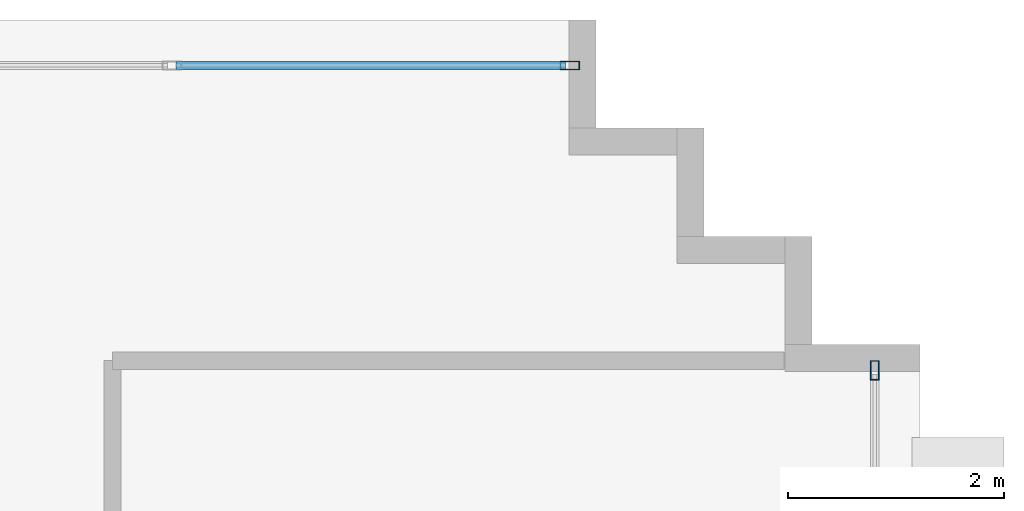
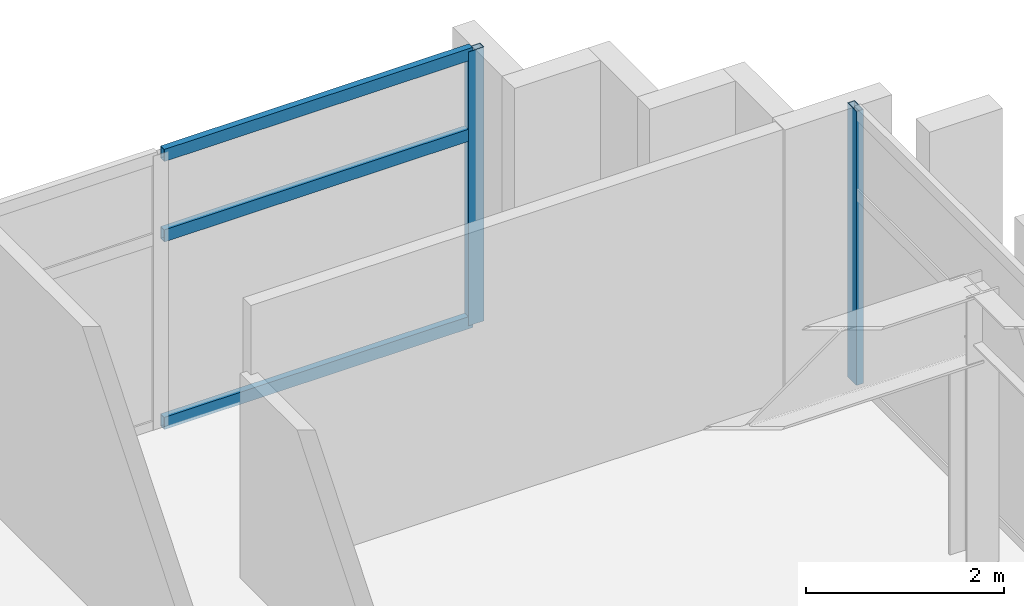
# One storey, part 10 of 15: 5 members, 2 elements without a shape of their own.
"""IFC4 building model written with IfcOpenShell, lengths in metres."""

import ifcopenshell
import ifcopenshell.guid

model = None  # the IFC model being written
_history = None  # IfcOwnerHistory: only IFC2X3 demands one
_inside = {}  # id of a spatial element -> (the spatial element, [elements in it])
_under = {}  # id of a project, library or spatial element -> (it, [spatial elements below it])
_declared = {}  # id of a project -> (the project, [libraries it declares])
_typed = {}  # id of a type object -> (the type object, [elements of that type])
_made_of = {}  # id of a material, layer set ... -> (it, [elements and type objects made of it])


def new_model(schema):
    """Start an empty IFC model of exactly this schema.

    Asked for "IFC4X3", IfcOpenShell would pick the latest addendum, in which some entities
    have other attributes; the version numbers below select the first issue.
    IFC2X3 requires an IfcOwnerHistory on every rooted entity: one is made here for all.
    """
    global model, _history
    if schema == "IFC4X3":
        model = ifcopenshell.file(schema_version=(4, 3, 0, 0))
    else:
        model = ifcopenshell.file(schema=schema)
    _inside.clear()
    _under.clear()
    _declared.clear()
    _typed.clear()
    _made_of.clear()
    _history = None
    if model.schema == "IFC2X3":
        org = make("IfcOrganization", Name="unknown")
        user = make(
            "IfcPersonAndOrganization",
            ThePerson=make("IfcPerson", FamilyName="unknown"),
            TheOrganization=org,
        )
        app = make(
            "IfcApplication",
            ApplicationDeveloper=org,
            Version="unknown",
            ApplicationFullName="unknown",
            ApplicationIdentifier="unknown",
        )
        _history = make(
            "IfcOwnerHistory",
            OwningUser=user,
            OwningApplication=app,
            ChangeAction="ADDED",
            CreationDate=0,
        )
    return model


def make(cls, **values):
    """One entity of the class cls with the attributes given. An attribute that is None is left unset."""
    return model.create_entity(
        cls, **{name: value for name, value in values.items() if value is not None}
    )


def rooted(cls, **values):
    """An entity with a GlobalId (a new one), such as an element, a storey or a relation."""
    return make(cls, GlobalId=ifcopenshell.guid.new(), OwnerHistory=_history, **values)


def si_unit(unit_type, name, prefix=None):
    """IfcSIUnit, for example si_unit("LENGTHUNIT", "METRE", prefix="MILLI")."""
    return make("IfcSIUnit", UnitType=unit_type, Prefix=prefix, Name=name)


def assignment(units):
    """IfcUnitAssignment: the units of a project."""
    return None if units is None else make("IfcUnitAssignment", Units=units)


def point(xyz):
    """IfcCartesianPoint."""
    return None if xyz is None else make("IfcCartesianPoint", Coordinates=xyz)


def direction(xyz):
    """IfcDirection."""
    return None if xyz is None else make("IfcDirection", DirectionRatios=xyz)


def frame(location, z_axis=None, x_axis=None):
    """IfcAxis2Placement3D, a coordinate frame: its origin and axes. An axis left out is left unset."""
    return make(
        "IfcAxis2Placement3D",
        Location=point(location),
        Axis=direction(z_axis),
        RefDirection=direction(x_axis),
    )


def frame_2d(location, x_axis=None):
    """IfcAxis2Placement2D, a coordinate frame in the plane: its origin and x axis."""
    return make(
        "IfcAxis2Placement2D", Location=point(location), RefDirection=direction(x_axis)
    )


def origin():
    """The frame at (0, 0, 0) with its axes left unset."""
    return frame((0.0, 0.0, 0.0))


def origin_2d():
    """The frame at (0, 0) in the plane with its x axis left unset."""
    return frame_2d((0.0, 0.0))


def place(relative_to, where):
    """IfcLocalPlacement: puts the frame where relative to a parent placement (None: the world)."""
    return make(
        "IfcLocalPlacement", PlacementRelTo=relative_to, RelativePlacement=where
    )


def context(
    kind, dimensions, precision=None, world=None, true_north=None, identifier=None
):
    """IfcGeometricRepresentationContext, for example the 3D "Model" context."""
    return make(
        "IfcGeometricRepresentationContext",
        ContextIdentifier=identifier,
        ContextType=kind,
        CoordinateSpaceDimension=dimensions,
        Precision=precision,
        WorldCoordinateSystem=world,
        TrueNorth=true_north,
    )


def subcontext(parent, identifier, kind, view, scale=None):
    """IfcGeometricRepresentationSubContext, for example "Body" below "Model"."""
    return make(
        "IfcGeometricRepresentationSubContext",
        ContextIdentifier=identifier,
        ContextType=kind,
        ParentContext=parent,
        TargetScale=scale,
        TargetView=view,
    )


def project(units=None, contexts=None):
    """IfcProject with its units and contexts."""
    return rooted(
        "IfcProject",
        Name="project",
        RepresentationContexts=contexts,
        UnitsInContext=assignment(units),
    )


def spatial(cls, under=None, at=None, **own):
    """A site, building, storey or space (cls), placed at a placement, below another one or the project."""
    s = rooted(cls, ObjectPlacement=at, **own)
    if under is not None:
        _under.setdefault(under.id(), (under, []))[1].append(s)
    return s


def profile(cls, at=None, kind="AREA", **sizes):
    """A parametric profile (cls). Its sizes go by their IFC names, for example OverallWidth=200.0."""
    return make(cls, ProfileType=kind, Position=at, **sizes)


def hollow_rectangle(**sizes):
    """IfcRectangleHollowProfileDef."""
    return profile("IfcRectangleHollowProfileDef", **sizes)


def extrude(swept, where, along, depth):
    """IfcExtrudedAreaSolid: the profile swept, set in the frame where, extruded along a direction by depth."""
    return make(
        "IfcExtrudedAreaSolid",
        SweptArea=swept,
        Position=where,
        ExtrudedDirection=direction(along),
        Depth=depth,
    )


def shape(context_of_items, identifier, shape_type, items):
    """IfcShapeRepresentation: the items that make up one representation, for example the "Body"."""
    return make(
        "IfcShapeRepresentation",
        ContextOfItems=context_of_items,
        RepresentationIdentifier=identifier,
        RepresentationType=shape_type,
        Items=items,
    )


def source(mapping_origin, context_of_items, identifier, shape_type, items):
    """IfcRepresentationMap: a shape defined once, which mapped items show again and again."""
    return make(
        "IfcRepresentationMap",
        MappingOrigin=mapping_origin,
        MappedRepresentation=shape(context_of_items, identifier, shape_type, items),
    )


def transform(
    local_origin,
    x_axis=None,
    y_axis=None,
    z_axis=None,
    scale=None,
    scale2=None,
    scale3=None,
    uniform=True,
):
    """IfcCartesianTransformationOperator3D, or its non-uniform kind. x_axis, y_axis, z_axis: its Axis1, 2, 3."""
    if uniform:
        return make(
            "IfcCartesianTransformationOperator3D",
            Axis1=direction(x_axis),
            Axis2=direction(y_axis),
            LocalOrigin=point(local_origin),
            Scale=scale,
            Axis3=direction(z_axis),
        )
    return make(
        "IfcCartesianTransformationOperator3DnonUniform",
        Axis1=direction(x_axis),
        Axis2=direction(y_axis),
        LocalOrigin=point(local_origin),
        Scale=scale,
        Axis3=direction(z_axis),
        Scale2=scale2,
        Scale3=scale3,
    )


def mapped(mapping_source, mapping_target):
    """IfcMappedItem: shows the shape of a source again, moved by a transform."""
    return make(
        "IfcMappedItem", MappingSource=mapping_source, MappingTarget=mapping_target
    )


def material(Name=None, Category=None):
    """IfcMaterial."""
    return make("IfcMaterial", Name=Name, Category=Category)


def layer(
    of_material, thickness, ventilated=None, Name=None, Category=None, Priority=None
):
    """IfcMaterialLayer: one layer of a wall or slab, of a material (None: an air gap)."""
    return make(
        "IfcMaterialLayer",
        Material=of_material,
        LayerThickness=thickness,
        IsVentilated=ventilated,
        Name=Name,
        Category=Category,
        Priority=Priority,
    )


def layer_set(layers, Name=None):
    """IfcMaterialLayerSet."""
    return make("IfcMaterialLayerSet", MaterialLayers=layers, LayerSetName=Name)


def material_profile(
    of_material, cross_section, Name=None, Category=None, Priority=None
):
    """IfcMaterialProfile: a cross section and its material."""
    return make(
        "IfcMaterialProfile",
        Name=Name,
        Material=of_material,
        Profile=cross_section,
        Priority=Priority,
        Category=Category,
    )


def profile_set(profiles, Name=None, composite=None):
    """IfcMaterialProfileSet."""
    return make(
        "IfcMaterialProfileSet",
        Name=Name,
        MaterialProfiles=profiles,
        CompositeProfile=composite,
    )


def made_of(thing, what):
    """Note that an element or type object is made of a material, layer set ...; save() writes the relation."""
    if what is not None:
        _made_of.setdefault(what.id(), (what, []))[1].append(thing)
    return thing


def type_object(cls, material=None, **own):
    """A type object (cls), such as IfcWallType, which elements share."""
    return made_of(rooted(cls, **own), material)


def element(
    cls,
    number,
    at=None,
    inside=None,
    cuts=None,
    type_object=None,
    material=None,
    context=None,
    identifier="Body",
    shape_type=None,
    held_by="IfcProductDefinitionShape",
    body=None,
    shapes=None,
    **own,
):
    """One element of the class cls, such as IfcWall. Its Tag is "e" and its number.

    at: its placement. inside: the storey or other place that contains it. cuts: it is an
    opening in that element (IfcRelVoidsElement). A single representation is given by context,
    identifier, shape_type and body (its items); several are given by shapes. held_by: the class
    of the entity that holds the representations. save() writes the other relations.
    """
    e = rooted(cls, Tag="e%d" % number, ObjectPlacement=at, **own)
    if body is not None:
        shapes = [shape(context, identifier, shape_type, body)]
    if shapes is not None:
        e.Representation = make(held_by, Representations=shapes)
    if inside is not None:
        _inside.setdefault(inside.id(), (inside, []))[1].append(e)
    if cuts is not None:
        rooted(
            "IfcRelVoidsElement", RelatingBuildingElement=cuts, RelatedOpeningElement=e
        )
    if type_object is not None:
        _typed.setdefault(type_object.id(), (type_object, []))[1].append(e)
    return made_of(e, material)


def aggregate(whole, parts):
    """IfcRelAggregates: a whole, such as a stair, and the parts it consists of."""
    return rooted("IfcRelAggregates", RelatingObject=whole, RelatedObjects=parts)


def save(model, path):
    """Write the relations noted so far, then the file.

    IfcRelAggregates (storeys below a building ...), IfcRelContainedInSpatialStructure (elements
    in a storey), IfcRelDefinesByType, IfcRelAssociatesMaterial and IfcRelDeclares: one each for
    every whole, place, type object, material and project.
    """
    for whole, parts in _under.values():
        aggregate(whole, parts)
    for where, things in _inside.values():
        rooted(
            "IfcRelContainedInSpatialStructure",
            RelatedElements=things,
            RelatingStructure=where,
        )
    for kind, things in _typed.values():
        rooted("IfcRelDefinesByType", RelatedObjects=things, RelatingType=kind)
    for what, things in _made_of.values():
        rooted("IfcRelAssociatesMaterial", RelatedObjects=things, RelatingMaterial=what)
    for by, libraries in _declared.values():
        rooted("IfcRelDeclares", RelatingContext=by, RelatedDefinitions=libraries)
    model.write(path)


model = new_model("IFC4")

# Units and contexts
model_context = context("Model", 3, precision=1e-05, world=origin(), true_north=direction((0.0, 1.0)))
body_context = subcontext(model_context, "Body", "Model", "MODEL_VIEW")
ifc_project = project(units=[si_unit("LENGTHUNIT", "METRE"), si_unit("AREAUNIT", "SQUARE_METRE"), si_unit("VOLUMEUNIT", "CUBIC_METRE"), si_unit("PLANEANGLEUNIT", "RADIAN"), si_unit("MASSUNIT", "GRAM", prefix="KILO")], contexts=[model_context])

# Site, building, storey
site_placement = place(None, origin())
site = spatial("IfcSite", under=ifc_project, at=site_placement, CompositionType="ELEMENT")
building_placement = place(site_placement, origin())
building = spatial("IfcBuilding", under=site, at=building_placement, Name="Ocotamira Hotel", CompositionType="ELEMENT")
storey_placement = place(building_placement, frame((0.0, 0.0, 286.800048828125)))
storey = spatial("IfcBuildingStorey", under=building, at=storey_placement, Name="L73", CompositionType="ELEMENT", Elevation=286.800048828125)

# Curtain wall, member
ifc_material_1 = material(Name="Anodised pale-metal aluminium and solar glass", Category="aluminium")
ifc_layer = layer(ifc_material_1, 0.2099609375)
ifc_layer_set = layer_set([ifc_layer], Name="Anodised pale-metal aluminium and solar glass")
curtain_wall_type = type_object("IfcCurtainWallType", Name="CW-SYS7-PEAK", PredefinedType="NOTDEFINED", material=ifc_layer_set)
curtain_wall_1_placement = place(storey_placement, origin())
curtain_wall_1 = element("IfcCurtainWall", 1, at=curtain_wall_1_placement, inside=storey, type_object=curtain_wall_type, Name="L73 Curtain Wall CW-7 CW-L73-N", PredefinedType="NOTDEFINED")
ifc_material_2 = material(Name="Anodised pale-metal aluminium 6063-T6", Category="aluminium")
ifc_material_profile_1 = material_profile(ifc_material_2, hollow_rectangle(XDim=0.080078125, YDim=0.179931640625, WallThickness=0.006103515625, at=origin_2d()), Name="HSS180X80X6")
ifc_profile_set_1 = profile_set([ifc_material_profile_1], Name="Anodised pale-metal aluminium 6063-T6")
member_type_1 = type_object("IfcMemberType", Name="CWM-180X75", PredefinedType="MULLION", material=ifc_profile_set_1)
shared_shape_1 = source(origin(), body_context, "Body", "SweptSolid", [
    extrude(hollow_rectangle(XDim=0.080078125, YDim=0.179931640625, WallThickness=0.006103515625, at=origin_2d()), origin(), (0.0, 0.0, 1.0), 3.3798828125),
])
member_1_placement = place(storey_placement, frame((29.760009765625, 43.580078125, 0.0), z_axis=(0.0, 0.0, 1.0), x_axis=(0.0, 1.0, 0.0)))
member_1 = element("IfcMember", 2, at=member_1_placement, type_object=member_type_1, Name="CW-7 mullion 6", PredefinedType="MULLION", context=body_context, shape_type="MappedRepresentation", body=[
    mapped(shared_shape_1, transform((0.0, 0.0, 0.0), scale=1.0)),
])

curtain_wall_2_placement = place(storey_placement, origin())
curtain_wall_2 = element("IfcCurtainWall", 3, at=curtain_wall_2_placement, inside=storey, type_object=curtain_wall_type, Name="L73 Curtain Wall CW-7 CW-L73-E2", PredefinedType="NOTDEFINED")
member_2_placement = place(storey_placement, frame((32.580078125, 40.760009765625, 0.0), z_axis=(0.0, 0.0, 1.0), x_axis=(-1.0, 0.0, 0.0)))
member_2 = element("IfcMember", 4, at=member_2_placement, type_object=member_type_1, Name="CW-7 mullion 4", PredefinedType="MULLION", context=body_context, shape_type="MappedRepresentation", body=[
    mapped(shared_shape_1, transform((0.0, 0.0, 0.0), scale=1.0)),
])
aggregate(curtain_wall_2, [member_2])

# Member
ifc_material_profile_2 = material_profile(ifc_material_2, hollow_rectangle(XDim=0.074951171875, YDim=0.14990234375, WallThickness=0.006103515625, at=origin_2d()), Name="HSS150X75X6")
ifc_profile_set_2 = profile_set([ifc_material_profile_2], Name="Anodised pale-metal aluminium 6063-T6")
member_type_2 = type_object("IfcMemberType", Name="CWT-150X75", PredefinedType="USERDEFINED", material=ifc_profile_set_2)
shared_shape_2 = source(origin(), body_context, "Body", "SweptSolid", [
    extrude(hollow_rectangle(XDim=0.074951171875, YDim=0.14990234375, WallThickness=0.006103515625, at=origin_2d()), origin(), (0.0, 0.0, 1.0), 3.599853515625),
])
member_3_placement = place(storey_placement, frame((26.1201171875, 43.580078125, 0.037353515625), z_axis=(1.0, 0.0, 0.0), x_axis=(0.0, 1.0, 0.0)))
member_3 = element("IfcMember", 5, at=member_3_placement, type_object=member_type_2, Name="CW-7 transom 5.1", ObjectType="TRANSOM", PredefinedType="USERDEFINED", context=body_context, shape_type="MappedRepresentation", body=[
    mapped(shared_shape_2, transform((0.0, 0.0, 0.0), scale=1.0)),
])

member_4_placement = place(storey_placement, frame((26.1201171875, 43.580078125, 2.349853515625), z_axis=(1.0, 0.0, 0.0), x_axis=(0.0, 1.0, 0.0)))
member_4 = element("IfcMember", 6, at=member_4_placement, type_object=member_type_2, Name="CW-7 transom 5.2", ObjectType="TRANSOM", PredefinedType="USERDEFINED", context=body_context, shape_type="MappedRepresentation", body=[
    mapped(shared_shape_2, transform((0.0, 0.0, 0.0), scale=1.0)),
])

member_5_placement = place(storey_placement, frame((26.1201171875, 43.580078125, 3.342529296875), z_axis=(1.0, 0.0, 0.0), x_axis=(0.0, 1.0, 0.0)))
member_5 = element("IfcMember", 7, at=member_5_placement, type_object=member_type_2, Name="CW-7 transom 5.3", ObjectType="TRANSOM", PredefinedType="USERDEFINED", context=body_context, shape_type="MappedRepresentation", body=[
    mapped(shared_shape_2, transform((0.0, 0.0, 0.0), scale=1.0)),
])

aggregate(curtain_wall_1, [member_1, member_3, member_4, member_5])

save(model, "model.ifc")
